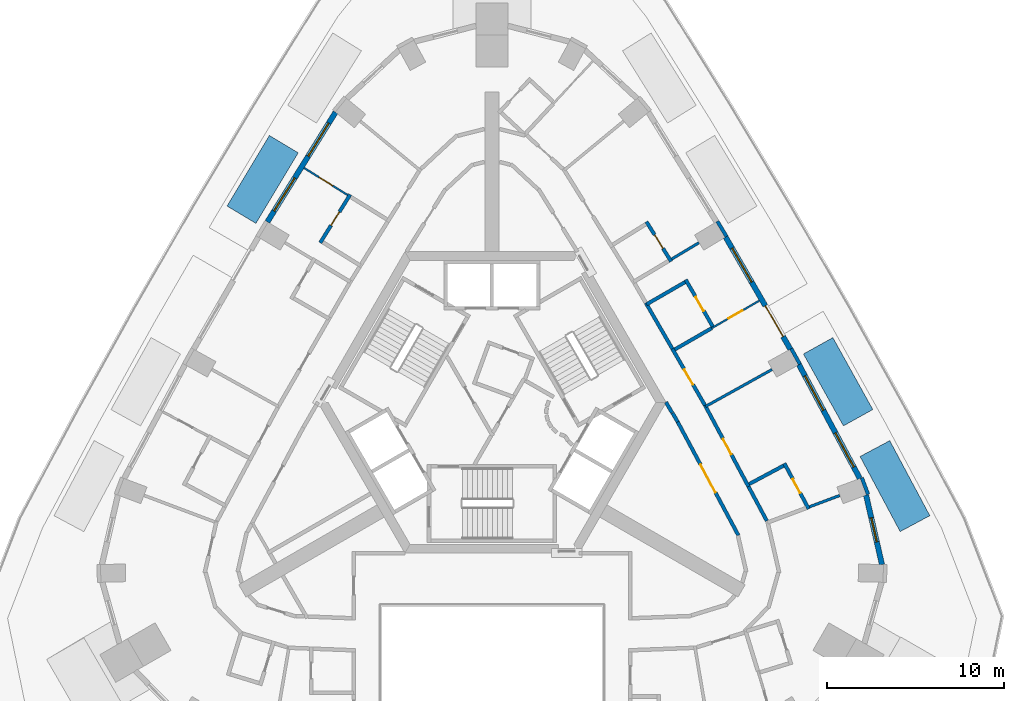
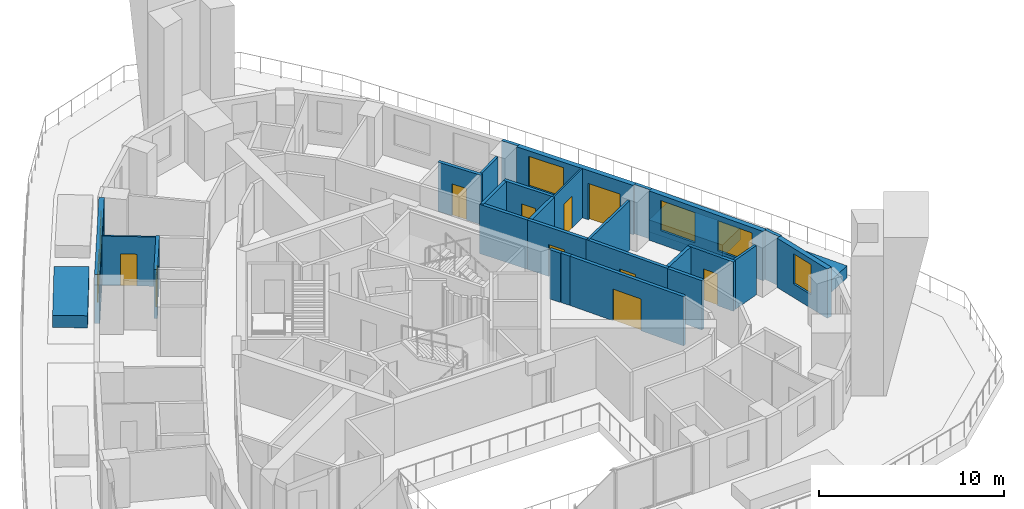
# One storey, part 7 of 12: 29 walls, 10 doors, 6 windows, 16 openings.
"""IFC4 building model written with IfcOpenShell, lengths in metres."""

from ifc_helpers import new_model, si_unit, direction, frame, frame_2d, origin, place, context, subcontext, project, spatial, rectangle, extrude, material, layer, layer_set, type_object, element, fill, save


model = new_model("IFC4")

# Units and contexts
model_context = context("Model", 3, precision=1e-05, world=origin(), true_north=direction((0.0, 1.0)))
body_context = subcontext(model_context, "Body", "Model", "MODEL_VIEW")
ifc_project = project(units=[si_unit("LENGTHUNIT", "METRE"), si_unit("AREAUNIT", "SQUARE_METRE"), si_unit("VOLUMEUNIT", "CUBIC_METRE"), si_unit("PLANEANGLEUNIT", "RADIAN"), si_unit("MASSUNIT", "GRAM", prefix="KILO")], contexts=[model_context])

# Site, building, storey
site_placement = place(None, origin())
site = spatial("IfcSite", under=ifc_project, at=site_placement, CompositionType="ELEMENT")
building_placement = place(site_placement, origin())
building = spatial("IfcBuilding", under=site, at=building_placement, Name="Entoto Arch Interchange Tower", CompositionType="ELEMENT")
storey_placement = place(building_placement, frame((0.0, 0.0, 286.39990234375)))
storey = spatial("IfcBuildingStorey", under=building, at=storey_placement, Name="L66", CompositionType="ELEMENT", Elevation=286.39990234375)

# Wall, opening, door
ifc_material_1 = material(Name="Gypsum board partition on steel studs", Category="steel")
ifc_layer_1 = layer(ifc_material_1, 0.10009765625)
ifc_layer_set_1 = layer_set([ifc_layer_1], Name="Gypsum board partition on steel studs")
wall_type_1 = type_object("IfcWallType", Name="PARTITION 100", PredefinedType="PARTITIONING", material=ifc_layer_set_1)
wall_1_placement = place(storey_placement, frame((12.385009765625, 6.681884765625, 0.0), z_axis=(0.0, 0.0, 1.0), x_axis=(0.865970446821, 0.500095176175, 0.0)))
wall_1 = element("IfcWall", 1, at=wall_1_placement, inside=storey, type_object=wall_type_1, Name="wall:L66:p098", PredefinedType="PARTITIONING", context=body_context, shape_type="SweptSolid", body=[
    extrude(rectangle(XDim=3.099609375, YDim=0.10009765625, at=frame_2d((1.5498046875, 0.0))), origin(), (0.0, 0.0, 1.0), 3.260009765625),
])
opening_1_placement = place(wall_1_placement, frame((1.10009765625, 0.0, 0.0)))
opening_1 = element("IfcOpeningElement", 2, at=opening_1_placement, cuts=wall_1, Name="Opening L66-D09", PredefinedType="OPENING", context=body_context, shape_type="SweptSolid", body=[
    extrude(rectangle(XDim=0.89990234375, YDim=2.10009765625, at=frame_2d((0.449951171875, 1.050048828125))), frame((0.0, 0.06005859375, 0.0), z_axis=(0.0, -1.0, 0.0), x_axis=(1.0, 0.0, 0.0)), (0.0, 0.0, 1.0), 0.1201171875),
])
ifc_material_2 = material(Name="Timber door leaf in Steel S235 frame", Category="steel")
door_type_1 = type_object("IfcDoorType", Name="DOOR DS-09 900x2100", OperationType="SINGLE_SWING_LEFT", PredefinedType="DOOR", material=ifc_material_2)
door_1_placement = place(opening_1_placement, origin())
door_1 = element("IfcDoor", 3, at=door_1_placement, inside=storey, type_object=door_type_1, Name="door:L66:09", OperationType="SINGLE_SWING_RIGHT", OverallHeight=2.10009765625, OverallWidth=0.89990234375, PredefinedType="DOOR", context=body_context, shape_type="SweptSolid", body=[
    extrude(rectangle(XDim=0.89990234375, YDim=2.10009765625, at=frame_2d((0.449951171875, 1.050048828125))), frame((0.0, 0.02490234375, 0.0), z_axis=(0.0, -1.0, 0.0), x_axis=(1.0, 0.0, 0.0)), (0.0, 0.0, 1.0), 0.050048828125),
])
fill(opening_1, door_1)

wall_2_placement = place(storey_placement, frame((-8.1298828125, 14.18505859375, 0.0), z_axis=(0.0, 0.0, 1.0), x_axis=(-0.849305726881, 0.527901299759, 0.0)))
wall_2 = element("IfcWall", 4, at=wall_2_placement, inside=storey, type_object=wall_type_1, Name="wall:L66:p113", PredefinedType="PARTITIONING", context=body_context, shape_type="SweptSolid", body=[
    extrude(rectangle(XDim=2.900146484375, YDim=0.10009765625, at=frame_2d((1.4501953125, 0.0))), origin(), (0.0, 0.0, 1.0), 3.260009765625),
])
opening_2_placement = place(wall_2_placement, frame((1.0, 0.0, 0.0)))
opening_2 = element("IfcOpeningElement", 5, at=opening_2_placement, cuts=wall_2, Name="Opening L66-D17", PredefinedType="OPENING", context=body_context, shape_type="SweptSolid", body=[
    extrude(rectangle(XDim=0.89990234375, YDim=2.10009765625, at=frame_2d((0.449951171875, 1.050048828125))), frame((0.0, 0.06005859375, 0.0), z_axis=(0.0, -1.0, 0.0), x_axis=(1.0, 0.0, 0.0)), (0.0, 0.0, 1.0), 0.1201171875),
])
door_2_placement = place(opening_2_placement, origin())
door_2 = element("IfcDoor", 6, at=door_2_placement, inside=storey, type_object=door_type_1, Name="door:L66:17", OperationType="SINGLE_SWING_LEFT", OverallHeight=2.10009765625, OverallWidth=0.89990234375, PredefinedType="DOOR", context=body_context, shape_type="SweptSolid", body=[
    extrude(rectangle(XDim=0.89990234375, YDim=2.10009765625, at=frame_2d((0.449951171875, 1.050048828125))), frame((0.0, 0.02490234375, 0.0), z_axis=(0.0, -1.0, 0.0), x_axis=(1.0, 0.0, 0.0)), (0.0, 0.0, 1.0), 0.050048828125),
])
fill(opening_2, door_2)

# Walls
ifc_layer_2 = layer(ifc_material_1, 0.14990234375)
ifc_layer_set_2 = layer_set([ifc_layer_2], Name="Gypsum board partition on steel studs")
wall_type_2 = type_object("IfcWallType", Name="PARTITION 150", PredefinedType="PARTITIONING", material=ifc_layer_set_2)
wall_3_placement = place(storey_placement, frame((17.904052734375, -3.385009765625, 0.0), z_axis=(0.0, 0.0, 1.0), x_axis=(0.936401128709, 0.350931512054, 0.0)))
element("IfcWall", 7, at=wall_3_placement, inside=storey, type_object=wall_type_2, Name="wall:L66:p093", PredefinedType="PARTITIONING", context=body_context, shape_type="SweptSolid", body=[
    extrude(rectangle(XDim=1.812255859375, YDim=0.14990234375, at=frame_2d((0.90625, 0.0))), origin(), (0.0, 0.0, 1.0), 3.260009765625),
])
wall_4_placement = place(storey_placement, frame((12.044921875, 2.27197265625, 0.0), z_axis=(0.0, 0.0, 1.0), x_axis=(0.873982340973, 0.485957680943, 0.0)))
element("IfcWall", 8, at=wall_4_placement, inside=storey, type_object=wall_type_2, Name="wall:L66:p097", PredefinedType="PARTITIONING", context=body_context, shape_type="SweptSolid", body=[
    extrude(rectangle(XDim=4.2802734375, YDim=0.14990234375, at=frame_2d((2.14013671875, 0.0))), origin(), (0.0, 0.0, 1.0), 3.260009765625),
])
wall_5_placement = place(storey_placement, frame((10.133056640625, 10.580078125, 0.0), z_axis=(0.0, 0.0, 1.0), x_axis=(0.857903919212, 0.513810145287, 0.0)))
element("IfcWall", 9, at=wall_5_placement, inside=storey, type_object=wall_type_2, Name="wall:L66:p102", PredefinedType="PARTITIONING", context=body_context, shape_type="SweptSolid", body=[
    extrude(rectangle(XDim=1.781005859375, YDim=0.14990234375, at=frame_2d((0.890625, 0.0))), origin(), (0.0, 0.0, 1.0), 3.260009765625),
])

# Wall, opening, door
ifc_layer_3 = layer(ifc_material_1, 0.199951171875)
ifc_layer_set_3 = layer_set([ifc_layer_3], Name="Gypsum board partition on steel studs")
wall_type_3 = type_object("IfcWallType", Name="PARTITION 200", PredefinedType="PARTITIONING", material=ifc_layer_set_3)
wall_6_placement = place(storey_placement, frame((13.889892578125, -4.993896484375, 0.0), z_axis=(0.0, 0.0, 1.0), x_axis=(-0.471713767504, 0.881751734644, 0.0)))
wall_6 = element("IfcWall", 10, at=wall_6_placement, inside=storey, type_object=wall_type_3, Name="wall:L66:p018", PredefinedType="PARTITIONING", context=body_context, shape_type="SweptSolid", body=[
    extrude(rectangle(XDim=7.247802734375, YDim=0.199951171875, at=frame_2d((3.6240234375, 0.0))), origin(), (0.0, 0.0, 1.0), 3.260009765625),
])
opening_3_placement = place(wall_6_placement, frame((2.72412109375, 0.0, 0.0)))
opening_3 = element("IfcOpeningElement", 11, at=opening_3_placement, cuts=wall_6, Name="Opening L66-D28", PredefinedType="OPENING", context=body_context, shape_type="SweptSolid", body=[
    extrude(rectangle(XDim=1.800048828125, YDim=2.10009765625, at=frame_2d((0.89990234375, 1.050048828125))), frame((0.0, 0.10986328125, 0.0), z_axis=(0.0, -1.0, 0.0), x_axis=(1.0, 0.0, 0.0)), (0.0, 0.0, 1.0), 0.219970703125),
])
door_type_2 = type_object("IfcDoorType", Name="DOOR DD-18 1800x2100", OperationType="DOUBLE_DOOR_SINGLE_SWING", PredefinedType="DOOR", material=ifc_material_2)
door_3_placement = place(opening_3_placement, origin())
door_3 = element("IfcDoor", 12, at=door_3_placement, inside=storey, type_object=door_type_2, Name="door:L66:28", OperationType="DOUBLE_DOOR_SINGLE_SWING", OverallHeight=2.10009765625, OverallWidth=1.800048828125, PredefinedType="DOOR", context=body_context, shape_type="SweptSolid", body=[
    extrude(rectangle(XDim=1.800048828125, YDim=2.10009765625, at=frame_2d((0.89990234375, 1.050048828125))), frame((0.0, 0.02490234375, 0.0), z_axis=(0.0, -1.0, 0.0), x_axis=(1.0, 0.0, 0.0)), (0.0, 0.0, 1.0), 0.050048828125),
])
fill(opening_3, door_3)

# Walls
wall_7_placement = place(storey_placement, frame((10.470947265625, 1.39697265625, 0.0), z_axis=(0.0, 0.0, 1.0), x_axis=(-0.500069990121, 0.865984991198, 0.0)))
element("IfcWall", 13, at=wall_7_placement, inside=storey, type_object=wall_type_3, Name="wall:L66:p019", PredefinedType="PARTITIONING", context=body_context, shape_type="SweptSolid", body=[
    extrude(rectangle(XDim=0.587890625, YDim=0.199951171875, at=frame_2d((0.2939453125, 0.0))), origin(), (0.0, 0.0, 1.0), 3.260009765625),
])
wall_8_placement = place(storey_placement, frame((10.156982421875, 1.912109375, 0.0), z_axis=(0.0, 0.0, 1.0), x_axis=(-0.500482383858, 0.865746720148, 0.0)))
element("IfcWall", 14, at=wall_8_placement, inside=storey, type_object=wall_type_3, Name="wall:L66:p020", PredefinedType="PARTITIONING", context=body_context, shape_type="SweptSolid", body=[
    extrude(rectangle(XDim=0.695068359375, YDim=0.199951171875, at=frame_2d((0.34765625, 0.0))), origin(), (0.0, 0.0, 1.0), 3.260009765625),
])

# Wall, opening, door
wall_9_placement = place(storey_placement, frame((12.009033203125, 2.337890625, 0.0), z_axis=(0.0, 0.0, 1.0), x_axis=(0.471771260231, -0.88172097515, 0.0)))
wall_9 = element("IfcWall", 15, at=wall_9_placement, inside=storey, type_object=wall_type_3, Name="wall:L66:p035", PredefinedType="PARTITIONING", context=body_context, shape_type="SweptSolid", body=[
    extrude(rectangle(XDim=5.193115234375, YDim=0.199951171875, at=frame_2d((2.5966796875, 0.0))), origin(), (0.0, 0.0, 1.0), 3.260009765625),
])
opening_4_placement = place(wall_9_placement, frame((2.14599609375, 0.0, 0.0)))
opening_4 = element("IfcOpeningElement", 16, at=opening_4_placement, cuts=wall_9, Name="Opening L66-D06", PredefinedType="OPENING", context=body_context, shape_type="SweptSolid", body=[
    extrude(rectangle(XDim=1.0, YDim=2.10009765625, at=frame_2d((0.5, 1.050048828125))), frame((0.0, 0.10986328125, 0.0), z_axis=(0.0, -1.0, 0.0), x_axis=(1.0, 0.0, 0.0)), (0.0, 0.0, 1.0), 0.219970703125),
])
ifc_material_3 = material(Name="Fire-rated Steel S235 door and frame", Category="steel")
door_type_3 = type_object("IfcDoorType", Name="DOOR FD-10 1000x2100", OperationType="SINGLE_SWING_LEFT", PredefinedType="DOOR", material=ifc_material_3)
door_4_placement = place(opening_4_placement, origin())
door_4 = element("IfcDoor", 17, at=door_4_placement, inside=storey, type_object=door_type_3, Name="door:L66:06", OperationType="SINGLE_SWING_LEFT", OverallHeight=2.10009765625, OverallWidth=1.0, PredefinedType="DOOR", context=body_context, shape_type="SweptSolid", body=[
    extrude(rectangle(XDim=1.0, YDim=2.10009765625, at=frame_2d((0.5, 1.050048828125))), frame((0.0, 0.02490234375, 0.0), z_axis=(0.0, -1.0, 0.0), x_axis=(1.0, 0.0, 0.0)), (0.0, 0.0, 1.0), 0.050048828125),
])
fill(opening_4, door_4)

# Wall
wall_10_placement = place(storey_placement, frame((14.458984375, -2.240966796875, 0.0), z_axis=(0.0, 0.0, 1.0), x_axis=(0.471648235011, -0.881786789656, 0.0)))
element("IfcWall", 18, at=wall_10_placement, inside=storey, type_object=wall_type_3, Name="wall:L66:p036", PredefinedType="PARTITIONING", context=body_context, shape_type="SweptSolid", body=[
    extrude(rectangle(XDim=2.198974609375, YDim=0.199951171875, at=frame_2d((1.099609375, 0.0))), origin(), (0.0, 0.0, 1.0), 3.260009765625),
])

# Wall, opening, door
wall_11_placement = place(storey_placement, frame((10.169921875, 5.51904296875, 0.0), z_axis=(0.0, 0.0, 1.0), x_axis=(0.499990860175, -0.866030680601, 0.0)))
wall_11 = element("IfcWall", 19, at=wall_11_placement, inside=storey, type_object=wall_type_3, Name="wall:L66:p037", PredefinedType="PARTITIONING", context=body_context, shape_type="SweptSolid", body=[
    extrude(rectangle(XDim=3.67431640625, YDim=0.199951171875, at=frame_2d((1.837158203125, 0.0))), origin(), (0.0, 0.0, 1.0), 3.260009765625),
])
opening_5_placement = place(wall_11_placement, frame((1.3369140625, 0.0, 0.0)))
opening_5 = element("IfcOpeningElement", 20, at=opening_5_placement, cuts=wall_11, Name="Opening L66-D08", PredefinedType="OPENING", context=body_context, shape_type="SweptSolid", body=[
    extrude(rectangle(XDim=1.0, YDim=2.10009765625, at=frame_2d((0.5, 1.050048828125))), frame((0.0, 0.10986328125, 0.0), z_axis=(0.0, -1.0, 0.0), x_axis=(1.0, 0.0, 0.0)), (0.0, 0.0, 1.0), 0.219970703125),
])
door_5_placement = place(opening_5_placement, origin())
door_5 = element("IfcDoor", 21, at=door_5_placement, inside=storey, type_object=door_type_3, Name="door:L66:08", OperationType="SINGLE_SWING_LEFT", OverallHeight=2.10009765625, OverallWidth=1.0, PredefinedType="DOOR", context=body_context, shape_type="SweptSolid", body=[
    extrude(rectangle(XDim=1.0, YDim=2.10009765625, at=frame_2d((0.5, 1.050048828125))), frame((0.0, 0.02490234375, 0.0), z_axis=(0.0, -1.0, 0.0), x_axis=(1.0, 0.0, 0.0)), (0.0, 0.0, 1.0), 0.050048828125),
])
fill(opening_5, door_5)

# Wall
wall_12_placement = place(storey_placement, frame((8.669921875, 8.116943359375, 0.0), z_axis=(0.0, 0.0, 1.0), x_axis=(0.50002537861, -0.866010750942, 0.0)))
element("IfcWall", 22, at=wall_12_placement, inside=storey, type_object=wall_type_3, Name="wall:L66:p039", PredefinedType="PARTITIONING", context=body_context, shape_type="SweptSolid", body=[
    extrude(rectangle(XDim=2.999755859375, YDim=0.199951171875, at=frame_2d((1.5, 0.0))), origin(), (0.0, 0.0, 1.0), 3.260009765625),
])

# Wall, opening, door
wall_13_placement = place(storey_placement, frame((17.85693359375, -3.508056640625, 0.0), z_axis=(0.0, 0.0, 1.0), x_axis=(-0.47112614664, 0.882065844454, 0.0)))
wall_13 = element("IfcWall", 23, at=wall_13_placement, inside=storey, type_object=wall_type_3, Name="wall:L66:p095", PredefinedType="PARTITIONING", context=body_context, shape_type="SweptSolid", body=[
    extrude(rectangle(XDim=2.920654296875, YDim=0.199951171875, at=frame_2d((1.46044921875, 0.0))), origin(), (0.0, 0.0, 1.0), 3.260009765625),
])
opening_6_placement = place(wall_13_placement, frame((1.010009765625, 0.0, 0.0)))
opening_6 = element("IfcOpeningElement", 24, at=opening_6_placement, cuts=wall_13, Name="Opening L66-D07", PredefinedType="OPENING", context=body_context, shape_type="SweptSolid", body=[
    extrude(rectangle(XDim=0.89990234375, YDim=2.10009765625, at=frame_2d((0.449951171875, 1.050048828125))), frame((0.0, 0.10986328125, 0.0), z_axis=(0.0, -1.0, 0.0), x_axis=(1.0, 0.0, 0.0)), (0.0, 0.0, 1.0), 0.219970703125),
])
door_6_placement = place(opening_6_placement, origin())
door_6 = element("IfcDoor", 25, at=door_6_placement, inside=storey, type_object=door_type_1, Name="door:L66:07", OperationType="SINGLE_SWING_RIGHT", OverallHeight=2.10009765625, OverallWidth=0.89990234375, PredefinedType="DOOR", context=body_context, shape_type="SweptSolid", body=[
    extrude(rectangle(XDim=0.89990234375, YDim=2.10009765625, at=frame_2d((0.449951171875, 1.050048828125))), frame((0.0, 0.02490234375, 0.0), z_axis=(0.0, -1.0, 0.0), x_axis=(1.0, 0.0, 0.0)), (0.0, 0.0, 1.0), 0.050048828125),
])
fill(opening_6, door_6)

# Walls
wall_14_placement = place(storey_placement, frame((16.43994140625, -1.06689453125, 0.0), z_axis=(0.0, 0.0, 1.0), x_axis=(-0.881700916894, -0.471808746367, 0.0)))
element("IfcWall", 26, at=wall_14_placement, inside=storey, type_object=wall_type_3, Name="wall:L66:p096", PredefinedType="PARTITIONING", context=body_context, shape_type="SweptSolid", body=[
    extrude(rectangle(XDim=2.2001953125, YDim=0.199951171875, at=frame_2d((1.10009765625, 0.0))), origin(), (0.0, 0.0, 1.0), 3.260009765625),
])
wall_15_placement = place(storey_placement, frame((10.305908203125, 5.48193359375, 0.0), z_axis=(0.0, 0.0, 1.0), x_axis=(0.866100915363, 0.499869187296, 0.0)))
element("IfcWall", 27, at=wall_15_placement, inside=storey, type_object=wall_type_3, Name="wall:L66:p099", PredefinedType="PARTITIONING", context=body_context, shape_type="SweptSolid", body=[
    extrude(rectangle(XDim=2.400634765625, YDim=0.199951171875, at=frame_2d((1.2001953125, 0.0))), origin(), (0.0, 0.0, 1.0), 3.260009765625),
])

# Wall, opening, door
wall_16_placement = place(storey_placement, frame((12.49609375, 6.68896484375, 0.0), z_axis=(0.0, 0.0, 1.0), x_axis=(-0.500039995618, 0.866002311072, 0.0)))
wall_16 = element("IfcWall", 28, at=wall_16_placement, inside=storey, type_object=wall_type_3, Name="wall:L66:p100", PredefinedType="PARTITIONING", context=body_context, shape_type="SweptSolid", body=[
    extrude(rectangle(XDim=3.150146484375, YDim=0.199951171875, at=frame_2d((1.5751953125, 0.0))), origin(), (0.0, 0.0, 1.0), 3.260009765625),
])
opening_7_placement = place(wall_16_placement, frame((1.125, 0.0, 0.0)))
opening_7 = element("IfcOpeningElement", 29, at=opening_7_placement, cuts=wall_16, Name="Opening L66-D10", PredefinedType="OPENING", context=body_context, shape_type="SweptSolid", body=[
    extrude(rectangle(XDim=0.89990234375, YDim=2.10009765625, at=frame_2d((0.449951171875, 1.050048828125))), frame((0.0, 0.10986328125, 0.0), z_axis=(0.0, -1.0, 0.0), x_axis=(1.0, 0.0, 0.0)), (0.0, 0.0, 1.0), 0.219970703125),
])
door_7_placement = place(opening_7_placement, origin())
door_7 = element("IfcDoor", 30, at=door_7_placement, inside=storey, type_object=door_type_1, Name="door:L66:10", OperationType="SINGLE_SWING_RIGHT", OverallHeight=2.10009765625, OverallWidth=0.89990234375, PredefinedType="DOOR", context=body_context, shape_type="SweptSolid", body=[
    extrude(rectangle(XDim=0.89990234375, YDim=2.10009765625, at=frame_2d((0.449951171875, 1.050048828125))), frame((0.0, 0.02490234375, 0.0), z_axis=(0.0, -1.0, 0.0), x_axis=(1.0, 0.0, 0.0)), (0.0, 0.0, 1.0), 0.050048828125),
])
fill(opening_7, door_7)

# Wall
wall_17_placement = place(storey_placement, frame((10.885009765625, 9.280029296875, 0.0), z_axis=(0.0, 0.0, 1.0), x_axis=(-0.866022959057, -0.500004234368, 0.0)))
element("IfcWall", 31, at=wall_17_placement, inside=storey, type_object=wall_type_3, Name="wall:L66:p101", PredefinedType="PARTITIONING", context=body_context, shape_type="SweptSolid", body=[
    extrude(rectangle(XDim=2.5, YDim=0.199951171875, at=frame_2d((1.25, 0.0))), origin(), (0.0, 0.0, 1.0), 3.260009765625),
])

# Wall, opening, door
wall_18_placement = place(storey_placement, frame((10.10009765625, 10.443115234375, 0.0), z_axis=(0.0, 0.0, 1.0), x_axis=(-0.527510239672, 0.849548672555, 0.0)))
wall_18 = element("IfcWall", 32, at=wall_18_placement, inside=storey, type_object=wall_type_3, Name="wall:L66:p104", PredefinedType="PARTITIONING", context=body_context, shape_type="SweptSolid", body=[
    extrude(rectangle(XDim=2.638916015625, YDim=0.199951171875, at=frame_2d((1.3193359375, 0.0))), origin(), (0.0, 0.0, 1.0), 3.260009765625),
])
opening_8_placement = place(wall_18_placement, frame((0.868896484375, 0.0, 0.0)))
opening_8 = element("IfcOpeningElement", 33, at=opening_8_placement, cuts=wall_18, Name="Opening L66-D12", PredefinedType="OPENING", context=body_context, shape_type="SweptSolid", body=[
    extrude(rectangle(XDim=0.89990234375, YDim=2.10009765625, at=frame_2d((0.449951171875, 1.050048828125))), frame((0.0, 0.10986328125, 0.0), z_axis=(0.0, -1.0, 0.0), x_axis=(1.0, 0.0, 0.0)), (0.0, 0.0, 1.0), 0.219970703125),
])
door_8_placement = place(opening_8_placement, origin())
door_8 = element("IfcDoor", 34, at=door_8_placement, inside=storey, type_object=door_type_1, Name="door:L66:12", OperationType="SINGLE_SWING_LEFT", OverallHeight=2.10009765625, OverallWidth=0.89990234375, PredefinedType="DOOR", context=body_context, shape_type="SweptSolid", body=[
    extrude(rectangle(XDim=0.89990234375, YDim=2.10009765625, at=frame_2d((0.449951171875, 1.050048828125))), frame((0.0, 0.02490234375, 0.0), z_axis=(0.0, -1.0, 0.0), x_axis=(1.0, 0.0, 0.0)), (0.0, 0.0, 1.0), 0.050048828125),
])
fill(opening_8, door_8)

wall_19_placement = place(storey_placement, frame((-7.991943359375, 14.217041015625, 0.0), z_axis=(0.0, 0.0, 1.0), x_axis=(-0.527795797674, -0.849371294522, 0.0)))
wall_19 = element("IfcWall", 35, at=wall_19_placement, inside=storey, type_object=wall_type_3, Name="wall:L66:p115", PredefinedType="PARTITIONING", context=body_context, shape_type="SweptSolid", body=[
    extrude(rectangle(XDim=3.199951171875, YDim=0.199951171875, at=frame_2d((1.60009765625, 0.0))), origin(), (0.0, 0.0, 1.0), 3.260009765625),
])
opening_9_placement = place(wall_19_placement, frame((1.14990234375, 0.0, 0.0)))
opening_9 = element("IfcOpeningElement", 36, at=opening_9_placement, cuts=wall_19, Name="Opening L66-D18", PredefinedType="OPENING", context=body_context, shape_type="SweptSolid", body=[
    extrude(rectangle(XDim=0.89990234375, YDim=2.10009765625, at=frame_2d((0.449951171875, 1.050048828125))), frame((0.0, 0.10986328125, 0.0), z_axis=(0.0, -1.0, 0.0), x_axis=(1.0, 0.0, 0.0)), (0.0, 0.0, 1.0), 0.219970703125),
])
door_9_placement = place(opening_9_placement, origin())
door_9 = element("IfcDoor", 37, at=door_9_placement, inside=storey, type_object=door_type_1, Name="door:L66:18", OperationType="SINGLE_SWING_LEFT", OverallHeight=2.10009765625, OverallWidth=0.89990234375, PredefinedType="DOOR", context=body_context, shape_type="SweptSolid", body=[
    extrude(rectangle(XDim=0.89990234375, YDim=2.10009765625, at=frame_2d((0.449951171875, 1.050048828125))), frame((0.0, 0.02490234375, 0.0), z_axis=(0.0, -1.0, 0.0), x_axis=(1.0, 0.0, 0.0)), (0.0, 0.0, 1.0), 0.050048828125),
])
fill(opening_9, door_9)

# Walls
ifc_material_4 = material(Name="Board-marked precast concrete C50/60", Category="concrete")
ifc_layer_4 = layer(ifc_material_4, 1.89990234375)
ifc_layer_set_4 = layer_set([ifc_layer_4], Name="Board-marked precast concrete C50/60")
wall_type_4 = type_object("IfcWallType", Name="PLANTER RC 1900 Juniperus procera", PredefinedType="STANDARD", material=ifc_layer_set_4)
wall_20_placement = place(storey_placement, frame((20.64208984375, 1.634033203125, 0.0), z_axis=(0.0, 0.0, 1.0), x_axis=(-0.485696527213, 0.874127498397, 0.0)))
element("IfcWall", 38, at=wall_20_placement, inside=storey, type_object=wall_type_4, Name="Terrace planter NE-02 L66", PredefinedType="STANDARD", context=body_context, shape_type="SweptSolid", body=[
    extrude(rectangle(XDim=4.64111328125, YDim=1.89990234375, at=frame_2d((2.320556640625, 0.0))), origin(), (0.0, 0.0, 1.0), 0.800048828125),
])
wall_21_placement = place(storey_placement, frame((-11.736083984375, 17.05908203125, 0.0), z_axis=(0.0, 0.0, 1.0), x_axis=(-0.514333285091, -0.857590386984, 0.0)))
element("IfcWall", 39, at=wall_21_placement, inside=storey, type_object=wall_type_4, Name="Terrace planter NW-02 L66", PredefinedType="STANDARD", context=body_context, shape_type="SweptSolid", body=[
    extrude(rectangle(XDim=4.640869140625, YDim=1.89990234375, at=frame_2d((2.3203125, 0.0))), origin(), (0.0, 0.0, 1.0), 0.800048828125),
])
ifc_layer_5 = layer(ifc_material_4, 1.89990234375)
ifc_layer_set_5 = layer_set([ifc_layer_5], Name="Board-marked precast concrete C50/60")
wall_type_5 = type_object("IfcWallType", Name="PLANTER RC 1900 Olea europaea subsp. cuspidata", PredefinedType="STANDARD", material=ifc_layer_set_5)
wall_22_placement = place(storey_placement, frame((23.846923828125, -4.3369140625, 0.0), z_axis=(0.0, 0.0, 1.0), x_axis=(-0.470902401725, 0.882185313894, 0.0)))
element("IfcWall", 40, at=wall_22_placement, inside=storey, type_object=wall_type_5, Name="Terrace planter NE-01 L66", PredefinedType="STANDARD", context=body_context, shape_type="SweptSolid", body=[
    extrude(rectangle(XDim=4.79931640625, YDim=1.89990234375, at=frame_2d((2.399658203125, 0.0))), origin(), (0.0, 0.0, 1.0), 0.800048828125),
])

# Wall, opening, window
ifc_material_5 = material(Name="Welded tuff (ignimbrite) cladding, warm buff", Category="masonry")
ifc_layer_6 = layer(ifc_material_5, 0.300048828125)
ifc_layer_set_6 = layer_set([ifc_layer_6], Name="Welded tuff (ignimbrite) cladding, warm buff")
wall_type_6 = type_object("IfcWallType", Name="STONE INFILL WALL 300", PredefinedType="STANDARD", material=ifc_layer_set_6)
wall_23_placement = place(storey_placement, frame((21.987060546875, -6.64208984375, 0.0), z_axis=(0.0, 0.0, 1.0), x_axis=(-0.223448307338, 0.974715781112, 0.0)))
wall_23 = element("IfcWall", 41, at=wall_23_placement, inside=storey, type_object=wall_type_6, Name="Facade wall SE-04 L66", PredefinedType="STANDARD", context=body_context, shape_type="SweptSolid", body=[
    extrude(rectangle(XDim=4.0185546875, YDim=0.300048828125, at=frame_2d((2.00927734375, 0.0))), origin(), (0.0, 0.0, 1.0), 3.260009765625),
])
opening_10_placement = place(wall_23_placement, frame((1.30908203125, 0.0, 0.89990234375)))
opening_10 = element("IfcOpeningElement", 42, at=opening_10_placement, cuts=wall_23, Name="Opening WH-B", PredefinedType="OPENING", context=body_context, shape_type="SweptSolid", body=[
    extrude(rectangle(XDim=1.39990234375, YDim=2.0, at=frame_2d((0.699951171875, 1.0))), frame((0.0, 0.16015625, 0.0), z_axis=(0.0, -1.0, 0.0), x_axis=(1.0, 0.0, 0.0)), (0.0, 0.0, 1.0), 0.320068359375),
])
ifc_material_6 = material(Name="Clear glass, low-e double glazed", Category="glass")
window_type_1 = type_object("IfcWindowType", Name="WINDOW WH-B 1400x2000", PartitioningType="DOUBLE_PANEL_VERTICAL", PredefinedType="WINDOW", material=ifc_material_6)
window_1_placement = place(opening_10_placement, origin())
window_1 = element("IfcWindow", 43, at=window_1_placement, inside=storey, type_object=window_type_1, Name="Window WH-B SE-04 L66", OverallHeight=2.0, OverallWidth=1.39990234375, PartitioningType="SINGLE_PANEL", PredefinedType="WINDOW", context=body_context, shape_type="SweptSolid", body=[
    extrude(rectangle(XDim=1.39990234375, YDim=2.0, at=frame_2d((0.699951171875, 1.0))), frame((0.0, 0.030029296875, 0.0), z_axis=(0.0, -1.0, 0.0), x_axis=(1.0, 0.0, 0.0)), (0.0, 0.0, 1.0), 0.06005859375),
])
fill(opening_10, window_1)

# Wall, openings, windows
wall_24_placement = place(storey_placement, frame((20.739013671875, -1.7900390625, 0.0), z_axis=(0.0, 0.0, 1.0), x_axis=(-0.471789353675, 0.881711293882, 0.0)))
wall_24 = element("IfcWall", 44, at=wall_24_placement, inside=storey, type_object=wall_type_6, Name="Facade wall NE-01 L66", PredefinedType="STANDARD", context=body_context, shape_type="SweptSolid", body=[
    extrude(rectangle(XDim=7.27685546875, YDim=0.300048828125, at=frame_2d((3.638427734375, 0.0))), origin(), (0.0, 0.0, 1.0), 3.260009765625),
])
opening_11_placement = place(wall_24_placement, frame((0.718994140625, 0.0, 0.89990234375)))
opening_11 = element("IfcOpeningElement", 45, at=opening_11_placement, cuts=wall_24, Name="Opening WH-A", PredefinedType="OPENING", context=body_context, shape_type="SweptSolid", body=[
    extrude(rectangle(XDim=2.199951171875, YDim=2.0, at=frame_2d((1.10009765625, 1.0))), frame((0.0, 0.16015625, 0.0), z_axis=(0.0, -1.0, 0.0), x_axis=(1.0, 0.0, 0.0)), (0.0, 0.0, 1.0), 0.320068359375),
])
opening_12_placement = place(wall_24_placement, frame((4.35791015625, 0.0, 0.89990234375)))
opening_12 = element("IfcOpeningElement", 46, at=opening_12_placement, cuts=wall_24, Name="Opening WH-A", PredefinedType="OPENING", context=body_context, shape_type="SweptSolid", body=[
    extrude(rectangle(XDim=2.199951171875, YDim=2.0, at=frame_2d((1.10009765625, 1.0))), frame((0.0, 0.16015625, 0.0), z_axis=(0.0, -1.0, 0.0), x_axis=(1.0, 0.0, 0.0)), (0.0, 0.0, 1.0), 0.320068359375),
])
window_type_2 = type_object("IfcWindowType", Name="WINDOW WH-A 2200x2000", PartitioningType="DOUBLE_PANEL_VERTICAL", PredefinedType="WINDOW", material=ifc_material_6)
window_2_placement = place(opening_11_placement, origin())
window_2 = element("IfcWindow", 47, at=window_2_placement, inside=storey, type_object=window_type_2, Name="Window WH-A NE-01 L66", OverallHeight=2.0, OverallWidth=2.199951171875, PartitioningType="SINGLE_PANEL", PredefinedType="WINDOW", context=body_context, shape_type="SweptSolid", body=[
    extrude(rectangle(XDim=2.199951171875, YDim=2.0, at=frame_2d((1.10009765625, 1.0))), frame((0.0, 0.030029296875, 0.0), z_axis=(0.0, -1.0, 0.0), x_axis=(1.0, 0.0, 0.0)), (0.0, 0.0, 1.0), 0.06005859375),
])
fill(opening_11, window_2)
window_3_placement = place(opening_12_placement, origin())
window_3 = element("IfcWindow", 48, at=window_3_placement, inside=storey, type_object=window_type_2, Name="Window WH-A NE-01 L66", OverallHeight=2.0, OverallWidth=2.199951171875, PartitioningType="SINGLE_PANEL", PredefinedType="WINDOW", context=body_context, shape_type="SweptSolid", body=[
    extrude(rectangle(XDim=2.199951171875, YDim=2.0, at=frame_2d((1.10009765625, 1.0))), frame((0.0, 0.030029296875, 0.0), z_axis=(0.0, -1.0, 0.0), x_axis=(1.0, 0.0, 0.0)), (0.0, 0.0, 1.0), 0.06005859375),
])
fill(opening_12, window_3)

# Wall, openings, door, window
wall_25_placement = place(storey_placement, frame((16.821044921875, 5.498046875, 0.0), z_axis=(0.0, 0.0, 1.0), x_axis=(-0.499945412946, 0.866056917341, 0.0)))
wall_25 = element("IfcWall", 49, at=wall_25_placement, inside=storey, type_object=wall_type_6, Name="Facade wall NE-02 L66", PredefinedType="STANDARD", context=body_context, shape_type="SweptSolid", body=[
    extrude(rectangle(XDim=7.298583984375, YDim=0.300048828125, at=frame_2d((3.6494140625, 0.0))), origin(), (0.0, 0.0, 1.0), 3.260009765625),
])
opening_13_placement = place(wall_25_placement, frame((0.824951171875, 0.0, 0.0)))
opening_13 = element("IfcOpeningElement", 50, at=opening_13_placement, cuts=wall_25, Name="Opening DT-NE-02-L66", PredefinedType="OPENING", context=body_context, shape_type="SweptSolid", body=[
    extrude(rectangle(XDim=2.0, YDim=2.39990234375, at=frame_2d((1.0, 1.199951171875))), frame((0.0, 0.16015625, 0.0), z_axis=(0.0, -1.0, 0.0), x_axis=(1.0, 0.0, 0.0)), (0.0, 0.0, 1.0), 0.320068359375),
])
opening_14_placement = place(wall_25_placement, frame((4.3740234375, 0.0, 0.89990234375)))
opening_14 = element("IfcOpeningElement", 51, at=opening_14_placement, cuts=wall_25, Name="Opening WH-A", PredefinedType="OPENING", context=body_context, shape_type="SweptSolid", body=[
    extrude(rectangle(XDim=2.199951171875, YDim=2.0, at=frame_2d((1.10009765625, 1.0))), frame((0.0, 0.16015625, 0.0), z_axis=(0.0, -1.0, 0.0), x_axis=(1.0, 0.0, 0.0)), (0.0, 0.0, 1.0), 0.320068359375),
])
ifc_material_7 = material(Name="Aluminium and clear glass, anodised", Category="aluminium")
door_type_4 = type_object("IfcDoorType", Name="TERRACE DOOR DT 2000x2400", OperationType="SLIDING_TO_LEFT", PredefinedType="DOOR", material=ifc_material_7)
door_10_placement = place(opening_13_placement, origin())
door_10 = element("IfcDoor", 52, at=door_10_placement, inside=storey, type_object=door_type_4, Name="Terrace door NE-02 L66", OperationType="SLIDING_TO_LEFT", OverallHeight=2.39990234375, OverallWidth=2.0, PredefinedType="DOOR", context=body_context, shape_type="SweptSolid", body=[
    extrude(rectangle(XDim=2.0, YDim=2.39990234375, at=frame_2d((1.0, 1.199951171875))), frame((0.0, 0.02490234375, 0.0), z_axis=(0.0, -1.0, 0.0), x_axis=(1.0, 0.0, 0.0)), (0.0, 0.0, 1.0), 0.050048828125),
])
fill(opening_13, door_10)
window_4_placement = place(opening_14_placement, origin())
window_4 = element("IfcWindow", 53, at=window_4_placement, inside=storey, type_object=window_type_2, Name="Window WH-A NE-02 L66", OverallHeight=2.0, OverallWidth=2.199951171875, PartitioningType="SINGLE_PANEL", PredefinedType="WINDOW", context=body_context, shape_type="SweptSolid", body=[
    extrude(rectangle(XDim=2.199951171875, YDim=2.0, at=frame_2d((1.10009765625, 1.0))), frame((0.0, 0.030029296875, 0.0), z_axis=(0.0, -1.0, 0.0), x_axis=(1.0, 0.0, 0.0)), (0.0, 0.0, 1.0), 0.06005859375),
])
fill(opening_14, window_4)

# Wall, openings, windows
wall_26_placement = place(storey_placement, frame((-8.819091796875, 18.85498046875, 0.0), z_axis=(0.0, 0.0, 1.0), x_axis=(-0.527762071678, -0.849392250788, 0.0)))
wall_26 = element("IfcWall", 54, at=wall_26_placement, inside=storey, type_object=wall_type_6, Name="Facade wall NW-01 L66", PredefinedType="STANDARD", context=body_context, shape_type="SweptSolid", body=[
    extrude(rectangle(XDim=7.275634765625, YDim=0.300048828125, at=frame_2d((3.6376953125, 0.0))), origin(), (0.0, 0.0, 1.0), 3.260009765625),
])
opening_15_placement = place(wall_26_placement, frame((0.718994140625, 0.0, 0.89990234375)))
opening_15 = element("IfcOpeningElement", 55, at=opening_15_placement, cuts=wall_26, Name="Opening WH-A", PredefinedType="OPENING", context=body_context, shape_type="SweptSolid", body=[
    extrude(rectangle(XDim=2.199951171875, YDim=2.0, at=frame_2d((1.10009765625, 1.0))), frame((0.0, 0.16015625, 0.0), z_axis=(0.0, -1.0, 0.0), x_axis=(1.0, 0.0, 0.0)), (0.0, 0.0, 1.0), 0.320068359375),
])
opening_16_placement = place(wall_26_placement, frame((4.35693359375, 0.0, 0.89990234375)))
opening_16 = element("IfcOpeningElement", 56, at=opening_16_placement, cuts=wall_26, Name="Opening WH-A", PredefinedType="OPENING", context=body_context, shape_type="SweptSolid", body=[
    extrude(rectangle(XDim=2.199951171875, YDim=2.0, at=frame_2d((1.10009765625, 1.0))), frame((0.0, 0.16015625, 0.0), z_axis=(0.0, -1.0, 0.0), x_axis=(1.0, 0.0, 0.0)), (0.0, 0.0, 1.0), 0.320068359375),
])
window_5_placement = place(opening_15_placement, origin())
window_5 = element("IfcWindow", 57, at=window_5_placement, inside=storey, type_object=window_type_2, Name="Window WH-A NW-01 L66", OverallHeight=2.0, OverallWidth=2.199951171875, PartitioningType="SINGLE_PANEL", PredefinedType="WINDOW", context=body_context, shape_type="SweptSolid", body=[
    extrude(rectangle(XDim=2.199951171875, YDim=2.0, at=frame_2d((1.10009765625, 1.0))), frame((0.0, 0.030029296875, 0.0), z_axis=(0.0, -1.0, 0.0), x_axis=(1.0, 0.0, 0.0)), (0.0, 0.0, 1.0), 0.06005859375),
])
fill(opening_15, window_5)
window_6_placement = place(opening_16_placement, origin())
window_6 = element("IfcWindow", 58, at=window_6_placement, inside=storey, type_object=window_type_2, Name="Window WH-A NW-01 L66", OverallHeight=2.0, OverallWidth=2.199951171875, PartitioningType="SINGLE_PANEL", PredefinedType="WINDOW", context=body_context, shape_type="SweptSolid", body=[
    extrude(rectangle(XDim=2.199951171875, YDim=2.0, at=frame_2d((1.10009765625, 1.0))), frame((0.0, 0.030029296875, 0.0), z_axis=(0.0, -1.0, 0.0), x_axis=(1.0, 0.0, 0.0)), (0.0, 0.0, 1.0), 0.06005859375),
])
fill(opening_16, window_6)

# Walls
ifc_layer_7 = layer(ifc_material_5, 0.199951171875)
ifc_layer_set_7 = layer_set([ifc_layer_7], Name="Welded tuff (ignimbrite) cladding, warm buff")
wall_type_7 = type_object("IfcWallType", Name="STONE PIER CLADDING 200", PredefinedType="STANDARD", material=ifc_layer_set_7)
wall_27_placement = place(storey_placement, frame((21.199951171875, -2.68408203125, 0.0), z_axis=(0.0, 0.0, 1.0), x_axis=(-0.350962844851, 0.936389385637, 0.0)))
element("IfcWall", 59, at=wall_27_placement, inside=storey, type_object=wall_type_7, Name="Stone pier NE01 L66", PredefinedType="STANDARD", context=body_context, shape_type="SweptSolid", body=[
    extrude(rectangle(XDim=0.99951171875, YDim=0.199951171875, at=frame_2d((0.499755859375, 0.0))), origin(), (0.0, 0.0, 1.0), 3.260009765625),
])
wall_28_placement = place(storey_placement, frame((17.35791015625, 4.653076171875, 0.0), z_axis=(0.0, 0.0, 1.0), x_axis=(-0.485850211157, 0.874042088414, 0.0)))
element("IfcWall", 60, at=wall_28_placement, inside=storey, type_object=wall_type_7, Name="Stone pier NE02 L66", PredefinedType="STANDARD", context=body_context, shape_type="SweptSolid", body=[
    extrude(rectangle(XDim=1.0, YDim=0.199951171875, at=frame_2d((0.5, 0.0))), origin(), (0.0, 0.0, 1.0), 3.260009765625),
])
wall_29_placement = place(storey_placement, frame((13.221923828125, 11.847900390625, 0.0), z_axis=(0.0, 0.0, 1.0), x_axis=(-0.513777707721, 0.857923345672, 0.0)))
element("IfcWall", 61, at=wall_29_placement, inside=storey, type_object=wall_type_7, Name="Stone pier NE03 L66", PredefinedType="STANDARD", context=body_context, shape_type="SweptSolid", body=[
    extrude(rectangle(XDim=1.000244140625, YDim=0.199951171875, at=frame_2d((0.5, 0.0))), origin(), (0.0, 0.0, 1.0), 3.260009765625),
])

save(model, "model.ifc")
